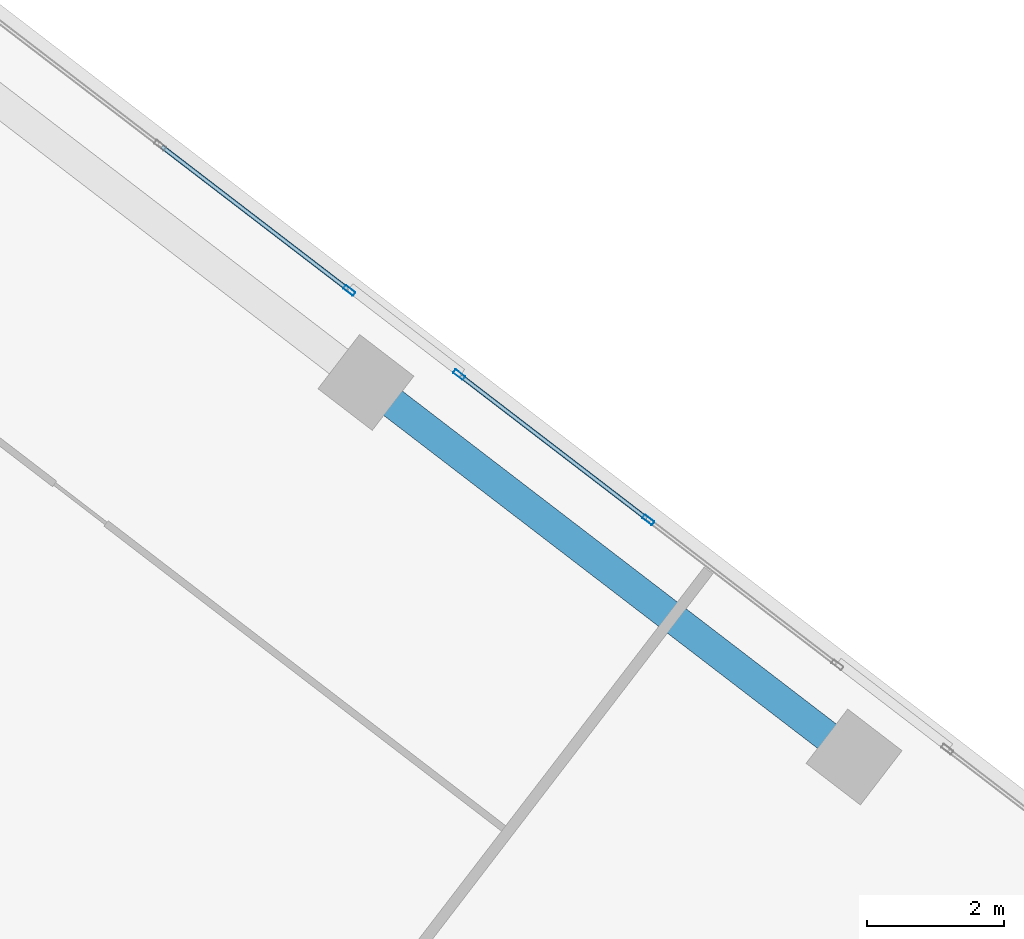
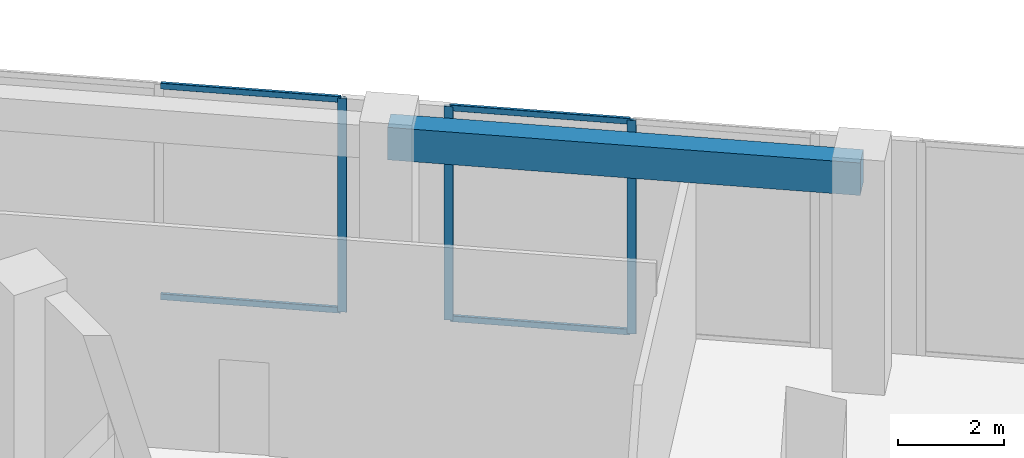
# One storey, part 15 of 23: 7 members, 1 beam, 2 elements without a shape of their own.
"""IFC4 building model written with IfcOpenShell, lengths in metres."""

from ifc_helpers import new_model, si_unit, direction, frame, origin, origin_2d, place, context, subcontext, project, spatial, rectangle, hollow_rectangle, extrude, source, transform, mapped, material, material_profile, profile_set, type_object, element, aggregate, save


model = new_model("IFC4")

# Units and contexts
model_context = context("Model", 3, precision=1e-05, world=origin(), true_north=direction((0.0, 1.0)))
body_context = subcontext(model_context, "Body", "Model", "MODEL_VIEW")
ifc_project = project(units=[si_unit("LENGTHUNIT", "METRE"), si_unit("AREAUNIT", "SQUARE_METRE"), si_unit("VOLUMEUNIT", "CUBIC_METRE"), si_unit("PLANEANGLEUNIT", "RADIAN"), si_unit("MASSUNIT", "GRAM", prefix="KILO")], contexts=[model_context])

# Site, building, storey
site_placement = place(None, origin())
site = spatial("IfcSite", under=ifc_project, at=site_placement, CompositionType="ELEMENT")
building_placement = place(site_placement, origin())
building = spatial("IfcBuilding", under=site, at=building_placement, Name="Torre Montelarca", CompositionType="ELEMENT")
storey_placement = place(building_placement, frame((0.0, 0.0, 204.39990234375)))
storey = spatial("IfcBuildingStorey", under=building, at=storey_placement, Name="L46", CompositionType="ELEMENT", Elevation=204.39990234375)

# Beam
ifc_material_1 = material(Name="Concrete C55/67", Category="concrete")
ifc_material_profile_1 = material_profile(ifc_material_1, rectangle(XDim=0.449951171875, YDim=0.75, at=origin_2d()), Name="RCB450X750", Category="concrete")
ifc_profile_set_1 = profile_set([ifc_material_profile_1], Name="Concrete C55/67")
beam_type = type_object("IfcBeamType", Name="BM-SP-RC750-EXT", PredefinedType="SPANDREL", material=ifc_profile_set_1)
shared_shape_1 = source(origin(), body_context, "Body", "SweptSolid", [
    extrude(rectangle(XDim=0.449951171875, YDim=0.75, at=origin_2d()), origin(), (0.0, 0.0, 1.0), 9.0),
])
beam_placement = place(storey_placement, frame((35.086181640625, 40.671142578125, 4.7451171875), z_axis=(0.793356551293, -0.608757244327, 0.0), x_axis=(0.608757244327, 0.793356551293, 0.0)))
element("IfcBeam", 1, at=beam_placement, inside=storey, type_object=beam_type, Name="L46 Grid Girder X 27.0-36.0 at Y=47.1", PredefinedType="SPANDREL", context=body_context, shape_type="MappedRepresentation", body=[
    mapped(shared_shape_1, transform((0.0, 0.0, 0.0), scale=1.0)),
])

# Curtain wall, members
ifc_material_2 = material(Name="Insulated low-E laminated glass", Category="glass")
curtain_wall_type = type_object("IfcCurtainWallType", Name="CW-SYS-Z2", PredefinedType="USERDEFINED", material=ifc_material_2)
curtain_wall_1_placement = place(storey_placement, origin())
curtain_wall_1 = element("IfcCurtainWall", 2, at=curtain_wall_1_placement, inside=storey, type_object=curtain_wall_type, Name="L46 Curtain Wall Run CW-T3-L46-E08-B2", ObjectType="UNITISED GLAZING", PredefinedType="USERDEFINED")
ifc_material_3 = material(Name="Anodised aluminium AA 6063-T6", Category="aluminium")
ifc_material_profile_2 = material_profile(ifc_material_3, hollow_rectangle(XDim=0.06494140625, YDim=0.179931640625, WallThickness=0.00390625, InnerFilletRadius=0.00390625, OuterFilletRadius=0.008056640625, at=origin_2d()), Name="ALU65X180X4", Category="aluminium")
ifc_profile_set_2 = profile_set([ifc_material_profile_2], Name="Anodised aluminium AA 6063-T6")
member_type_1 = type_object("IfcMemberType", Name="CWM-ALU180", PredefinedType="MULLION", material=ifc_profile_set_2)
shared_shape_2 = source(origin(), body_context, "Body", "SweptSolid", [
    extrude(hollow_rectangle(XDim=0.06494140625, YDim=0.179931640625, WallThickness=0.00390625, InnerFilletRadius=0.00390625, OuterFilletRadius=0.008056640625, at=origin_2d()), origin(), (0.0, 0.0, 1.0), 4.920166015625),
])
member_1_placement = place(storey_placement, frame((39.21630859375, 38.66162109375, 0.0), z_axis=(0.0, 0.0, 1.0), x_axis=(-0.608770551875, -0.793346339987, 0.0)))
member_1 = element("IfcMember", 3, at=member_1_placement, type_object=member_type_1, Name="CW mullion 2", PredefinedType="MULLION", context=body_context, shape_type="MappedRepresentation", body=[
    mapped(shared_shape_2, transform((0.0, 0.0, 0.0), scale=1.0)),
])
member_2_placement = place(storey_placement, frame((36.449462890625, 40.78466796875, 0.0), z_axis=(0.0, 0.0, 1.0), x_axis=(-0.608770551875, -0.793346339987, 0.0)))
member_2 = element("IfcMember", 4, at=member_2_placement, type_object=member_type_1, Name="CW mullion 3", PredefinedType="MULLION", context=body_context, shape_type="MappedRepresentation", body=[
    mapped(shared_shape_2, transform((0.0, 0.0, 0.0), scale=1.0)),
])

# Curtain wall, member
curtain_wall_2_placement = place(storey_placement, origin())
curtain_wall_2 = element("IfcCurtainWall", 5, at=curtain_wall_2_placement, inside=storey, type_object=curtain_wall_type, Name="L46 Curtain Wall Run CW-T3-L46-E08-B3", ObjectType="UNITISED GLAZING", PredefinedType="USERDEFINED")
member_3_placement = place(storey_placement, frame((34.843017578125, 42.017333984375, 0.0), z_axis=(0.0, 0.0, 1.0), x_axis=(-0.608756831323, -0.793356868199, 0.0)))
member_3 = element("IfcMember", 6, at=member_3_placement, type_object=member_type_1, Name="CW mullion 1", PredefinedType="MULLION", context=body_context, shape_type="MappedRepresentation", body=[
    mapped(shared_shape_2, transform((0.0, 0.0, 0.0), scale=1.0)),
])

# Member
ifc_material_profile_3 = material_profile(ifc_material_3, hollow_rectangle(XDim=0.06494140625, YDim=0.139892578125, WallThickness=0.00390625, InnerFilletRadius=0.00390625, OuterFilletRadius=0.008056640625, at=origin_2d()), Name="ALU65X140X4", Category="aluminium")
ifc_profile_set_3 = profile_set([ifc_material_profile_3], Name="Anodised aluminium AA 6063-T6")
member_type_2 = type_object("IfcMemberType", Name="CWT-ALU140", PredefinedType="USERDEFINED", material=ifc_profile_set_3)
shared_shape_3 = source(origin(), body_context, "Body", "SweptSolid", [
    extrude(hollow_rectangle(XDim=0.06494140625, YDim=0.139892578125, WallThickness=0.00390625, InnerFilletRadius=0.00390625, OuterFilletRadius=0.008056640625, at=origin_2d()), origin(), (0.0, 0.0, 1.0), 3.422607421875),
])
member_4_placement = place(storey_placement, frame((39.190673828125, 38.681396484375, 0.03271484375), z_axis=(-0.793360601133, 0.608751966379, 0.0), x_axis=(-0.608751966379, -0.793360601133, 0.0)))
member_4 = element("IfcMember", 7, at=member_4_placement, type_object=member_type_2, Name="CW transom 2.1", ObjectType="TRANSOM", PredefinedType="USERDEFINED", context=body_context, shape_type="MappedRepresentation", body=[
    mapped(shared_shape_3, transform((0.0, 0.0, 0.0), scale=1.0)),
])

member_5_placement = place(storey_placement, frame((39.190673828125, 38.681396484375, 4.8876953125), z_axis=(-0.793360601133, 0.608751966379, 0.0), x_axis=(-0.608751966379, -0.793360601133, 0.0)))
member_5 = element("IfcMember", 8, at=member_5_placement, type_object=member_type_2, Name="CW transom 2.2", ObjectType="TRANSOM", PredefinedType="USERDEFINED", context=body_context, shape_type="MappedRepresentation", body=[
    mapped(shared_shape_3, transform((0.0, 0.0, 0.0), scale=1.0)),
])

aggregate(curtain_wall_1, [member_1, member_2, member_4, member_5])

shared_shape_4 = source(origin(), body_context, "Body", "SweptSolid", [
    extrude(hollow_rectangle(XDim=0.06494140625, YDim=0.139892578125, WallThickness=0.00390625, InnerFilletRadius=0.00390625, OuterFilletRadius=0.008056640625, at=origin_2d()), origin(), (0.0, 0.0, 1.0), 3.42236328125),
])
member_6_placement = place(storey_placement, frame((34.817138671875, 42.037109375, 0.03271484375), z_axis=(-0.793334164547, 0.60878641851, 0.0), x_axis=(-0.60878641851, -0.793334164547, 0.0)))
member_6 = element("IfcMember", 9, at=member_6_placement, type_object=member_type_2, Name="CW transom 1.1", ObjectType="TRANSOM", PredefinedType="USERDEFINED", context=body_context, shape_type="MappedRepresentation", body=[
    mapped(shared_shape_4, transform((0.0, 0.0, 0.0), scale=1.0)),
])

member_7_placement = place(storey_placement, frame((34.817138671875, 42.037109375, 4.8876953125), z_axis=(-0.793334164547, 0.60878641851, 0.0), x_axis=(-0.60878641851, -0.793334164547, 0.0)))
member_7 = element("IfcMember", 10, at=member_7_placement, type_object=member_type_2, Name="CW transom 1.2", ObjectType="TRANSOM", PredefinedType="USERDEFINED", context=body_context, shape_type="MappedRepresentation", body=[
    mapped(shared_shape_4, transform((0.0, 0.0, 0.0), scale=1.0)),
])

aggregate(curtain_wall_2, [member_3, member_6, member_7])

save(model, "model.ifc")
